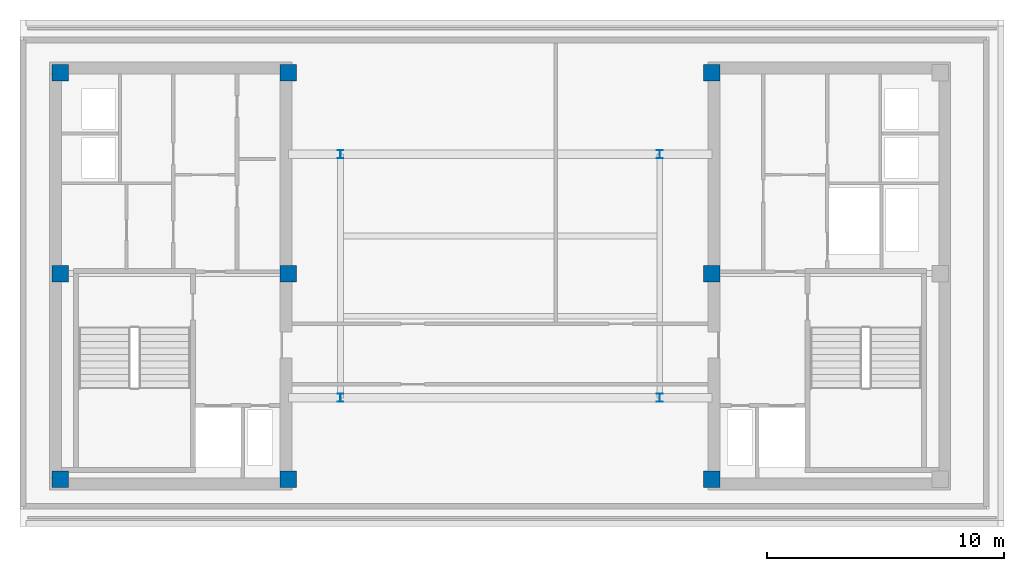
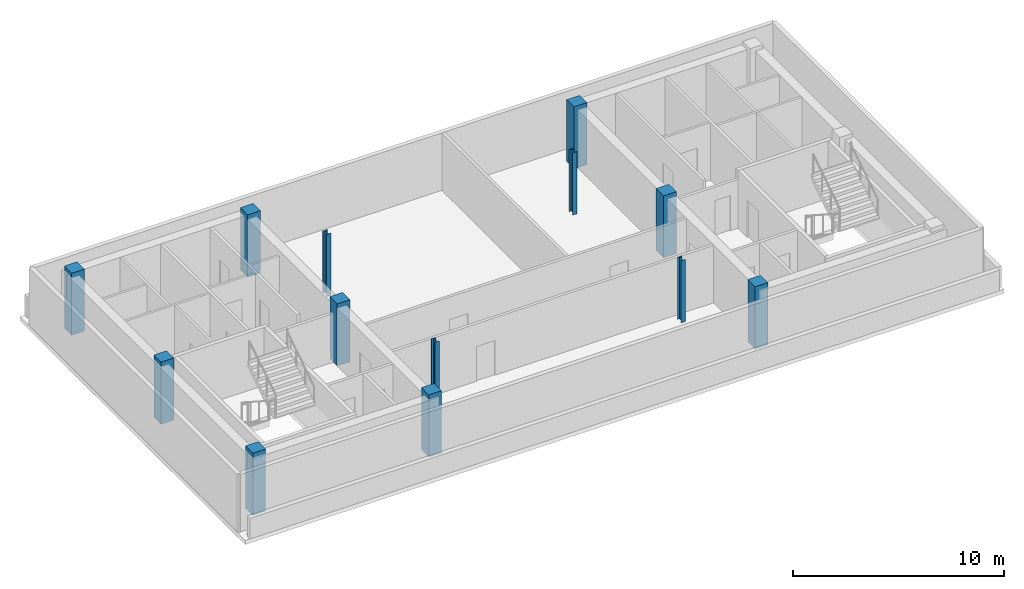
# One storey, part 1 of 5: 13 columns.
"""IFC4 building model written with IfcOpenShell, lengths in metres."""

from ifc_helpers import new_model, si_unit, direction, frame, origin, origin_2d, place, context, subcontext, project, spatial, rectangle, i_section, extrude, material, material_profile, profile_set, type_object, element, save


model = new_model("IFC4")

# Units and contexts
model_context = context("Model", 3, precision=1e-05, world=origin(), true_north=direction((0.0, 1.0)))
body_context = subcontext(model_context, "Body", "Model", "MODEL_VIEW")
ifc_project = project(units=[si_unit("LENGTHUNIT", "METRE"), si_unit("AREAUNIT", "SQUARE_METRE"), si_unit("VOLUMEUNIT", "CUBIC_METRE"), si_unit("PLANEANGLEUNIT", "RADIAN"), si_unit("MASSUNIT", "GRAM", prefix="KILO")], contexts=[model_context])

# Site, building, storey
site_placement = place(None, origin())
site = spatial("IfcSite", under=ifc_project, at=site_placement, CompositionType="ELEMENT")
building_placement = place(site_placement, origin())
building = spatial("IfcBuilding", under=site, at=building_placement, Name="Velakula Bourse", CompositionType="ELEMENT")
storey_placement = place(building_placement, frame((0.0, 0.0, 304.949951171875)))
storey = spatial("IfcBuildingStorey", under=building, at=storey_placement, Name="L83", CompositionType="ELEMENT", Elevation=304.949951171875)

# Columns
ifc_material_1 = material(Name="Steel IS 2062 Grade 350 (E350)", Category="steel")
ifc_material_profile_1 = material_profile(ifc_material_1, i_section(OverallWidth=0.25, OverallDepth=0.35009765625, WebThickness=0.010009765625, FlangeThickness=0.01171875, at=origin_2d()), Name="Steel IS 2062 Grade 350 (E350)")
ifc_profile_set_1 = profile_set([ifc_material_profile_1], Name="Steel IS 2062 Grade 350 (E350)")
column_type_1 = type_object("IfcColumnType", Name="COL-CRN-350", PredefinedType="COLUMN", material=ifc_profile_set_1)
for number, where, z_axis, x_axis, name in (
    (1, (-6.75, -5.14990234375, 0.0), (0.0, 0.0, 1.0), (1.0, 0.0, 0.0), "L83 Central Spine Column 01"),
    (2, (-6.75, 5.14990234375, 0.0), (0.0, 0.0, 1.0), (1.0, 0.0, 0.0), "L83 Central Spine Column 02"),
    (3, (6.75, -5.14990234375, 0.0), (0.0, 0.0, 1.0), (1.0, 0.0, 0.0), "L83 Central Spine Column 03"),
    (4, (6.75, 5.14990234375, 0.0), (0.0, 0.0, 1.0), (1.0, 0.0, 0.0), "L83 Central Spine Column 04"),
):
    element("IfcColumn", number, at=place(storey_placement, frame(where, z_axis=z_axis, x_axis=x_axis)), inside=storey, type_object=column_type_1, Name=name, PredefinedType="COLUMN", context=body_context, shape_type="SweptSolid", body=[
        extrude(i_section(OverallWidth=0.25, OverallDepth=0.35009765625, WebThickness=0.010009765625, FlangeThickness=0.01171875, at=origin_2d()), origin(), (0.0, 0.0, 1.0), 3.60009765625),
    ])
ifc_material_2 = material(Name="Concrete M50 (fck 50 MPa)", Category="concrete")
ifc_material_profile_2 = material_profile(ifc_material_2, rectangle(XDim=0.699951171875, YDim=0.699951171875, at=origin_2d()), Name="Concrete M50 (fck 50 MPa)")
ifc_profile_set_2 = profile_set([ifc_material_profile_2], Name="Concrete M50 (fck 50 MPa)")
column_type_2 = type_object("IfcColumnType", Name="COL-RC-700", PredefinedType="COLUMN", material=ifc_profile_set_2)
for number, where, z_axis, x_axis, name in (
    (5, (-8.949951171875, -8.60009765625, 0.0), (0.0, 0.0, 1.0), (1.0, 0.0, 0.0), "L83 Core Boundary Column 01"),
    (6, (-8.949951171875, 0.10009765625, 0.0), (0.0, 0.0, 1.0), (1.0, 0.0, 0.0), "L83 Core Boundary Column 02"),
    (7, (-8.949951171875, 8.60009765625, 0.0), (0.0, 0.0, 1.0), (1.0, 0.0, 0.0), "L83 Core Boundary Column 03"),
    (8, (-18.60009765625, -8.60009765625, 0.0), (0.0, 0.0, 1.0), (1.0, 0.0, 0.0), "L83 Core Boundary Column 04"),
    (9, (-18.60009765625, 0.10009765625, 0.0), (0.0, 0.0, 1.0), (1.0, 0.0, 0.0), "L83 Core Boundary Column 05"),
    (10, (-18.60009765625, 8.60009765625, 0.0), (0.0, 0.0, 1.0), (1.0, 0.0, 0.0), "L83 Core Boundary Column 06"),
    (11, (8.949951171875, -8.60009765625, 0.0), (0.0, 0.0, 1.0), (1.0, 0.0, 0.0), "L83 Core Boundary Column 07"),
    (12, (8.949951171875, 0.10009765625, 0.0), (0.0, 0.0, 1.0), (1.0, 0.0, 0.0), "L83 Core Boundary Column 08"),
    (13, (8.949951171875, 8.60009765625, 0.0), (0.0, 0.0, 1.0), (1.0, 0.0, 0.0), "L83 Core Boundary Column 09"),
):
    element("IfcColumn", number, at=place(storey_placement, frame(where, z_axis=z_axis, x_axis=x_axis)), inside=storey, type_object=column_type_2, Name=name, PredefinedType="COLUMN", context=body_context, shape_type="SweptSolid", body=[
        extrude(rectangle(XDim=0.699951171875, YDim=0.699951171875, at=origin_2d()), origin(), (0.0, 0.0, 1.0), 3.60009765625),
    ])

save(model, "model.ifc")
